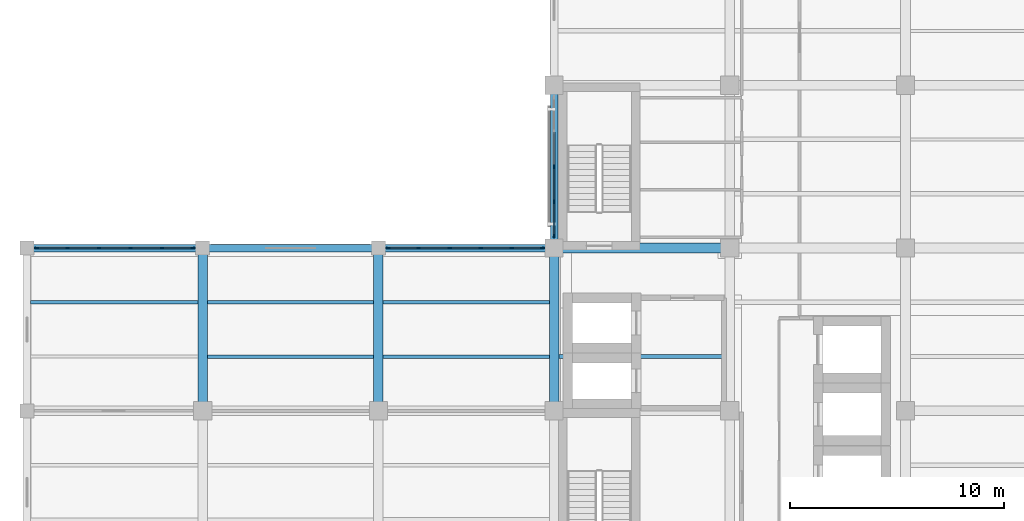
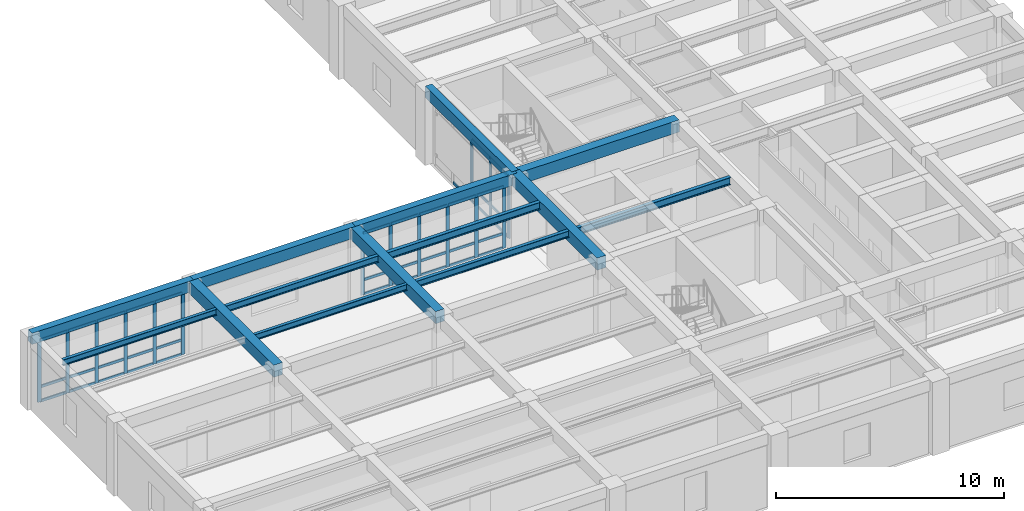
# One storey, part 2 of 16: 52 members, 14 beams, 3 elements without a shape of their own.
"""IFC4 building model written with IfcOpenShell, lengths in metres."""

from ifc_helpers import new_model, si_unit, direction, frame, origin, origin_2d, place, context, subcontext, project, spatial, rectangle, i_section, extrude, material, material_profile, profile_set, type_object, element, aggregate, save


model = new_model("IFC4")

# Units and contexts
model_context = context("Model", 3, precision=1e-05, world=origin(), true_north=direction((0.0, 1.0)))
body_context = subcontext(model_context, "Body", "Model", "MODEL_VIEW")
ifc_project = project(units=[si_unit("LENGTHUNIT", "METRE"), si_unit("AREAUNIT", "SQUARE_METRE"), si_unit("VOLUMEUNIT", "CUBIC_METRE"), si_unit("PLANEANGLEUNIT", "RADIAN"), si_unit("MASSUNIT", "GRAM", prefix="KILO")], contexts=[model_context])

# Site, building, storey
site_placement = place(None, origin())
site = spatial("IfcSite", under=ifc_project, at=site_placement, CompositionType="ELEMENT")
building_placement = place(site_placement, origin())
building = spatial("IfcBuilding", under=site, at=building_placement, Name="Qandaris Square Conservatory and Botanical Centre", CompositionType="ELEMENT")
storey_placement = place(building_placement, frame((0.0, 0.0, 24.0)))
storey = spatial("IfcBuildingStorey", under=building, at=storey_placement, Name="L05", CompositionType="ELEMENT", Elevation=24.0)

# Beams
ifc_material_1 = material(Name="Steel S355", Category="steel")
ifc_material_profile_1 = material_profile(ifc_material_1, i_section(OverallWidth=0.159912109375, OverallDepth=0.330078125, WebThickness=0.007568359375, FlangeThickness=0.011474609375, FilletRadius=0.01806640625, at=origin_2d()), Name="IPE 330")
ifc_profile_set_1 = profile_set([ifc_material_profile_1], Name="Steel S355")
beam_type_1 = type_object("IfcBeamType", Name="Composite Lab Joist IPE 330", PredefinedType="JOIST", material=ifc_profile_set_1)
beam_1_placement = place(storey_placement, frame((114.77490234375, 36.86669921875, 3.7548828125), z_axis=(1.0, 0.0, 0.0), x_axis=(0.0, 1.0, 0.0)))
element("IfcBeam", 1, at=beam_1_placement, inside=storey, type_object=beam_type_1, Name="L05 Composite Joist 1906", PredefinedType="JOIST", context=body_context, shape_type="SweptSolid", body=[
    extrude(i_section(OverallWidth=0.159912109375, OverallDepth=0.330078125, WebThickness=0.007568359375, FlangeThickness=0.011474609375, FilletRadius=0.01806640625, at=origin_2d()), origin(), (0.0, 0.0, 1.0), 7.800048828125),
])
beam_2_placement = place(storey_placement, frame((123.02490234375, 34.333251953125, 3.7548828125), z_axis=(1.0, 0.0, 0.0), x_axis=(0.0, 1.0, 0.0)))
element("IfcBeam", 2, at=beam_2_placement, inside=storey, type_object=beam_type_1, Name="L05 Composite Joist 1911", PredefinedType="JOIST", context=body_context, shape_type="SweptSolid", body=[
    extrude(i_section(OverallWidth=0.159912109375, OverallDepth=0.330078125, WebThickness=0.007568359375, FlangeThickness=0.011474609375, FilletRadius=0.01806640625, at=origin_2d()), origin(), (0.0, 0.0, 1.0), 7.75),
])
ifc_material_profile_2 = material_profile(ifc_material_1, i_section(OverallWidth=0.169921875, OverallDepth=0.360107421875, WebThickness=0.008056640625, FlangeThickness=0.0126953125, FilletRadius=0.01806640625, at=origin_2d()), Name="IPE 360")
ifc_profile_set_2 = profile_set([ifc_material_profile_2], Name="Steel S355")
beam_type_2 = type_object("IfcBeamType", Name="Composite Lab Joist IPE 360", PredefinedType="JOIST", material=ifc_profile_set_2)
for number, where, z_axis, x_axis, name in (
    (3, (123.02490234375, 36.86669921875, 3.739990234375), (1.0, 0.0, 0.0), (0.0, 1.0, 0.0), "L05 Composite Joist 1912"),
    (4, (131.22509765625, 34.333251953125, 3.739990234375), (1.0, 0.0, 0.0), (0.0, 1.0, 0.0), "L05 Composite Joist 1917"),
):
    element("IfcBeam", number, at=place(storey_placement, frame(where, z_axis=z_axis, x_axis=x_axis)), inside=storey, type_object=beam_type_2, Name=name, PredefinedType="JOIST", context=body_context, shape_type="SweptSolid", body=[
        extrude(i_section(OverallWidth=0.169921875, OverallDepth=0.360107421875, WebThickness=0.008056640625, FlangeThickness=0.0126953125, FilletRadius=0.01806640625, at=origin_2d()), origin(), (0.0, 0.0, 1.0), 7.75),
    ])
ifc_material_profile_3 = material_profile(ifc_material_1, i_section(OverallWidth=0.179931640625, OverallDepth=0.39990234375, WebThickness=0.008544921875, FlangeThickness=0.013427734375, FilletRadius=0.02099609375, at=origin_2d()), Name="IPE 400")
ifc_profile_set_3 = profile_set([ifc_material_profile_3], Name="Steel S355")
beam_type_3 = type_object("IfcBeamType", Name="Composite Plinth Joist IPE 400", PredefinedType="JOIST", material=ifc_profile_set_3)
for number, where, z_axis, x_axis, name in (
    (5, (131.22509765625, 36.86669921875, 3.719970703125), (1.0, 0.0, 0.0), (0.0, 1.0, 0.0), "L05 Composite Joist 1918"),
    (6, (139.425048828125, 34.333251953125, 3.719970703125), (1.0, 0.0, 0.0), (0.0, 1.0, 0.0), "L05 Composite Joist 1921"),
):
    element("IfcBeam", number, at=place(storey_placement, frame(where, z_axis=z_axis, x_axis=x_axis)), inside=storey, type_object=beam_type_3, Name=name, PredefinedType="JOIST", context=body_context, shape_type="SweptSolid", body=[
        extrude(i_section(OverallWidth=0.179931640625, OverallDepth=0.39990234375, WebThickness=0.008544921875, FlangeThickness=0.013427734375, FilletRadius=0.02099609375, at=origin_2d()), origin(), (0.0, 0.0, 1.0), 7.75),
    ])

# Curtain wall, members
ifc_material_2 = material(Name="Anodised Aluminium", Category="aluminium")
curtain_wall_type_1 = type_object("IfcCurtainWallType", Name="Unitised Curtain Wall CW-4-655x333", PredefinedType="USERDEFINED", material=ifc_material_2)
curtain_wall_1_placement = place(storey_placement, origin())
curtain_wall_1 = element("IfcCurtainWall", 7, at=curtain_wall_1_placement, inside=storey, type_object=curtain_wall_type_1, Name="Curtain Wall CW-TWR-L05-4-5", ObjectType="GLAZED CURTAIN WALL", PredefinedType="USERDEFINED")
ifc_material_profile_4 = material_profile(ifc_material_2, rectangle(XDim=0.06494140625, YDim=0.179931640625, at=origin_2d()), Name="ALU-MUL 65x180")
ifc_profile_set_4 = profile_set([ifc_material_profile_4], Name="Anodised Aluminium")
member_type_1 = type_object("IfcMemberType", Name="Curtain Wall Mullion 65x180", PredefinedType="MULLION", material=ifc_profile_set_4)
member_1_placement = place(storey_placement, frame((139.199951171875, 43.199951171875, 0.0), z_axis=(0.0, 0.0, 1.0), x_axis=(1.0, 0.0, 0.0)))
member_1 = element("IfcMember", 8, at=member_1_placement, type_object=member_type_1, Name="CW-4-655x333 mullion 3", PredefinedType="MULLION", context=body_context, shape_type="SweptSolid", body=[
    extrude(rectangle(XDim=0.06494140625, YDim=0.179931640625, at=origin_2d()), origin(), (0.0, 0.0, 1.0), 3.330078125),
])
member_2_placement = place(storey_placement, frame((139.199951171875, 41.5625, 0.0), z_axis=(0.0, 0.0, 1.0), x_axis=(1.0, 0.0, 0.0)))
member_2 = element("IfcMember", 9, at=member_2_placement, type_object=member_type_1, Name="CW-4-655x333 mullion 4", PredefinedType="MULLION", context=body_context, shape_type="SweptSolid", body=[
    extrude(rectangle(XDim=0.06494140625, YDim=0.179931640625, at=origin_2d()), origin(), (0.0, 0.0, 1.0), 3.330078125),
])
member_3_placement = place(storey_placement, frame((139.199951171875, 39.95751953125, 0.0), z_axis=(0.0, 0.0, 1.0), x_axis=(1.0, 0.0, 0.0)))
member_3 = element("IfcMember", 10, at=member_3_placement, type_object=member_type_1, Name="CW-4-655x333 mullion 5", PredefinedType="MULLION", context=body_context, shape_type="SweptSolid", body=[
    extrude(rectangle(XDim=0.06494140625, YDim=0.179931640625, at=origin_2d()), origin(), (0.0, 0.0, 1.0), 3.330078125),
])

curtain_wall_type_2 = type_object("IfcCurtainWallType", Name="Unitised Curtain Wall CW-4-725x333", PredefinedType="USERDEFINED", material=ifc_material_2)
curtain_wall_2_placement = place(storey_placement, origin())
curtain_wall_2 = element("IfcCurtainWall", 11, at=curtain_wall_2_placement, inside=storey, type_object=curtain_wall_type_2, Name="Curtain Wall CW-TWR-L05-5-1", ObjectType="GLAZED CURTAIN WALL", PredefinedType="USERDEFINED")
member_4_placement = place(storey_placement, frame((138.642578125, 39.39990234375, 0.0), z_axis=(0.0, 0.0, 1.0), x_axis=(0.0, -1.0, 0.0)))
member_4 = element("IfcMember", 12, at=member_4_placement, type_object=member_type_1, Name="CW-4-725x333 mullion 1", PredefinedType="MULLION", context=body_context, shape_type="SweptSolid", body=[
    extrude(rectangle(XDim=0.06494140625, YDim=0.179931640625, at=origin_2d()), origin(), (0.0, 0.0, 1.0), 3.330078125),
])
member_5_placement = place(storey_placement, frame((137.22509765625, 39.39990234375, 0.0), z_axis=(0.0, 0.0, 1.0), x_axis=(0.0, -1.0, 0.0)))
member_5 = element("IfcMember", 13, at=member_5_placement, type_object=member_type_1, Name="CW-4-725x333 mullion 2", PredefinedType="MULLION", context=body_context, shape_type="SweptSolid", body=[
    extrude(rectangle(XDim=0.06494140625, YDim=0.179931640625, at=origin_2d()), origin(), (0.0, 0.0, 1.0), 3.330078125),
])
member_6_placement = place(storey_placement, frame((135.77490234375, 39.39990234375, 0.0), z_axis=(0.0, 0.0, 1.0), x_axis=(0.0, -1.0, 0.0)))
member_6 = element("IfcMember", 14, at=member_6_placement, type_object=member_type_1, Name="CW-4-725x333 mullion 3", PredefinedType="MULLION", context=body_context, shape_type="SweptSolid", body=[
    extrude(rectangle(XDim=0.06494140625, YDim=0.179931640625, at=origin_2d()), origin(), (0.0, 0.0, 1.0), 3.330078125),
])
member_7_placement = place(storey_placement, frame((134.324951171875, 39.39990234375, 0.0), z_axis=(0.0, 0.0, 1.0), x_axis=(0.0, -1.0, 0.0)))
member_7 = element("IfcMember", 15, at=member_7_placement, type_object=member_type_1, Name="CW-4-725x333 mullion 4", PredefinedType="MULLION", context=body_context, shape_type="SweptSolid", body=[
    extrude(rectangle(XDim=0.06494140625, YDim=0.179931640625, at=origin_2d()), origin(), (0.0, 0.0, 1.0), 3.330078125),
])
member_8_placement = place(storey_placement, frame((132.875, 39.39990234375, 0.0), z_axis=(0.0, 0.0, 1.0), x_axis=(0.0, -1.0, 0.0)))
member_8 = element("IfcMember", 16, at=member_8_placement, type_object=member_type_1, Name="CW-4-725x333 mullion 5", PredefinedType="MULLION", context=body_context, shape_type="SweptSolid", body=[
    extrude(rectangle(XDim=0.06494140625, YDim=0.179931640625, at=origin_2d()), origin(), (0.0, 0.0, 1.0), 3.330078125),
])
member_9_placement = place(storey_placement, frame((131.45751953125, 39.39990234375, 0.0), z_axis=(0.0, 0.0, 1.0), x_axis=(0.0, -1.0, 0.0)))
member_9 = element("IfcMember", 17, at=member_9_placement, type_object=member_type_1, Name="CW-4-725x333 mullion 6", PredefinedType="MULLION", context=body_context, shape_type="SweptSolid", body=[
    extrude(rectangle(XDim=0.06494140625, YDim=0.179931640625, at=origin_2d()), origin(), (0.0, 0.0, 1.0), 3.330078125),
])

curtain_wall_type_3 = type_object("IfcCurtainWallType", Name="Unitised Curtain Wall CW-4-735x333", PredefinedType="USERDEFINED", material=ifc_material_2)
curtain_wall_3_placement = place(storey_placement, origin())
curtain_wall_3 = element("IfcCurtainWall", 18, at=curtain_wall_3_placement, inside=storey, type_object=curtain_wall_type_3, Name="Curtain Wall CW-TWR-L05-5-3", ObjectType="GLAZED CURTAIN WALL", PredefinedType="USERDEFINED")
member_10_placement = place(storey_placement, frame((122.342529296875, 39.39990234375, 0.0), z_axis=(0.0, 0.0, 1.0), x_axis=(0.0, -1.0, 0.0)))
member_10 = element("IfcMember", 19, at=member_10_placement, type_object=member_type_1, Name="CW-4-735x333 mullion 1", PredefinedType="MULLION", context=body_context, shape_type="SweptSolid", body=[
    extrude(rectangle(XDim=0.06494140625, YDim=0.179931640625, at=origin_2d()), origin(), (0.0, 0.0, 1.0), 3.330078125),
])
member_11_placement = place(storey_placement, frame((120.905029296875, 39.39990234375, 0.0), z_axis=(0.0, 0.0, 1.0), x_axis=(0.0, -1.0, 0.0)))
member_11 = element("IfcMember", 20, at=member_11_placement, type_object=member_type_1, Name="CW-4-735x333 mullion 2", PredefinedType="MULLION", context=body_context, shape_type="SweptSolid", body=[
    extrude(rectangle(XDim=0.06494140625, YDim=0.179931640625, at=origin_2d()), origin(), (0.0, 0.0, 1.0), 3.330078125),
])
member_12_placement = place(storey_placement, frame((119.43505859375, 39.39990234375, 0.0), z_axis=(0.0, 0.0, 1.0), x_axis=(0.0, -1.0, 0.0)))
member_12 = element("IfcMember", 21, at=member_12_placement, type_object=member_type_1, Name="CW-4-735x333 mullion 3", PredefinedType="MULLION", context=body_context, shape_type="SweptSolid", body=[
    extrude(rectangle(XDim=0.06494140625, YDim=0.179931640625, at=origin_2d()), origin(), (0.0, 0.0, 1.0), 3.330078125),
])
member_13_placement = place(storey_placement, frame((117.965087890625, 39.39990234375, 0.0), z_axis=(0.0, 0.0, 1.0), x_axis=(0.0, -1.0, 0.0)))
member_13 = element("IfcMember", 22, at=member_13_placement, type_object=member_type_1, Name="CW-4-735x333 mullion 4", PredefinedType="MULLION", context=body_context, shape_type="SweptSolid", body=[
    extrude(rectangle(XDim=0.06494140625, YDim=0.179931640625, at=origin_2d()), origin(), (0.0, 0.0, 1.0), 3.330078125),
])
member_14_placement = place(storey_placement, frame((116.4951171875, 39.39990234375, 0.0), z_axis=(0.0, 0.0, 1.0), x_axis=(0.0, -1.0, 0.0)))
member_14 = element("IfcMember", 23, at=member_14_placement, type_object=member_type_1, Name="CW-4-735x333 mullion 5", PredefinedType="MULLION", context=body_context, shape_type="SweptSolid", body=[
    extrude(rectangle(XDim=0.06494140625, YDim=0.179931640625, at=origin_2d()), origin(), (0.0, 0.0, 1.0), 3.330078125),
])
member_15_placement = place(storey_placement, frame((115.0576171875, 39.39990234375, 0.0), z_axis=(0.0, 0.0, 1.0), x_axis=(0.0, -1.0, 0.0)))
member_15 = element("IfcMember", 24, at=member_15_placement, type_object=member_type_1, Name="CW-4-735x333 mullion 6", PredefinedType="MULLION", context=body_context, shape_type="SweptSolid", body=[
    extrude(rectangle(XDim=0.06494140625, YDim=0.179931640625, at=origin_2d()), origin(), (0.0, 0.0, 1.0), 3.330078125),
])

# Member
ifc_material_profile_5 = material_profile(ifc_material_2, rectangle(XDim=0.06494140625, YDim=0.139892578125, at=origin_2d()), Name="ALU-TRN 65x140")
ifc_profile_set_5 = profile_set([ifc_material_profile_5], Name="Anodised Aluminium")
member_type_2 = type_object("IfcMemberType", Name="Curtain Wall Transom 65x140", PredefinedType="USERDEFINED", material=ifc_profile_set_5)
member_16_placement = place(storey_placement, frame((139.199951171875, 44.804931640625, 0.032470703125), z_axis=(0.0, -1.0, 0.0), x_axis=(1.0, 0.0, 0.0)))
member_16 = element("IfcMember", 25, at=member_16_placement, type_object=member_type_2, Name="CW-4-655x333 transom 2.1", ObjectType="TRANSOM", PredefinedType="USERDEFINED", context=body_context, shape_type="SweptSolid", body=[
    extrude(rectangle(XDim=0.06494140625, YDim=0.139892578125, at=origin_2d()), origin(), (0.0, 0.0, 1.0), 1.572509765625),
])

member_17_placement = place(storey_placement, frame((139.199951171875, 43.16748046875, 0.032470703125), z_axis=(0.0, -1.0, 0.0), x_axis=(1.0, 0.0, 0.0)))
member_17 = element("IfcMember", 26, at=member_17_placement, type_object=member_type_2, Name="CW-4-655x333 transom 3.1", ObjectType="TRANSOM", PredefinedType="USERDEFINED", context=body_context, shape_type="SweptSolid", body=[
    extrude(rectangle(XDim=0.06494140625, YDim=0.139892578125, at=origin_2d()), origin(), (0.0, 0.0, 1.0), 1.572509765625),
])

member_18_placement = place(storey_placement, frame((139.199951171875, 43.16748046875, 0.79931640625), z_axis=(0.0, -1.0, 0.0), x_axis=(1.0, 0.0, 0.0)))
member_18 = element("IfcMember", 27, at=member_18_placement, type_object=member_type_2, Name="CW-4-655x333 transom 3.2", ObjectType="TRANSOM", PredefinedType="USERDEFINED", context=body_context, shape_type="SweptSolid", body=[
    extrude(rectangle(XDim=0.06494140625, YDim=0.139892578125, at=origin_2d()), origin(), (0.0, 0.0, 1.0), 1.572509765625),
])

member_19_placement = place(storey_placement, frame((139.199951171875, 43.16748046875, 3.297607421875), z_axis=(0.0, -1.0, 0.0), x_axis=(1.0, 0.0, 0.0)))
member_19 = element("IfcMember", 28, at=member_19_placement, type_object=member_type_2, Name="CW-4-655x333 transom 3.3", ObjectType="TRANSOM", PredefinedType="USERDEFINED", context=body_context, shape_type="SweptSolid", body=[
    extrude(rectangle(XDim=0.06494140625, YDim=0.139892578125, at=origin_2d()), origin(), (0.0, 0.0, 1.0), 1.572509765625),
])

member_20_placement = place(storey_placement, frame((139.199951171875, 41.530029296875, 0.032470703125), z_axis=(0.0, -1.0, 0.0), x_axis=(1.0, 0.0, 0.0)))
member_20 = element("IfcMember", 29, at=member_20_placement, type_object=member_type_2, Name="CW-4-655x333 transom 4.1", ObjectType="TRANSOM", PredefinedType="USERDEFINED", context=body_context, shape_type="SweptSolid", body=[
    extrude(rectangle(XDim=0.06494140625, YDim=0.139892578125, at=origin_2d()), origin(), (0.0, 0.0, 1.0), 1.5400390625),
])

member_21_placement = place(storey_placement, frame((139.199951171875, 41.530029296875, 0.79931640625), z_axis=(0.0, -1.0, 0.0), x_axis=(1.0, 0.0, 0.0)))
member_21 = element("IfcMember", 30, at=member_21_placement, type_object=member_type_2, Name="CW-4-655x333 transom 4.2", ObjectType="TRANSOM", PredefinedType="USERDEFINED", context=body_context, shape_type="SweptSolid", body=[
    extrude(rectangle(XDim=0.06494140625, YDim=0.139892578125, at=origin_2d()), origin(), (0.0, 0.0, 1.0), 1.5400390625),
])

member_22_placement = place(storey_placement, frame((139.199951171875, 41.530029296875, 3.297607421875), z_axis=(0.0, -1.0, 0.0), x_axis=(1.0, 0.0, 0.0)))
member_22 = element("IfcMember", 31, at=member_22_placement, type_object=member_type_2, Name="CW-4-655x333 transom 4.3", ObjectType="TRANSOM", PredefinedType="USERDEFINED", context=body_context, shape_type="SweptSolid", body=[
    extrude(rectangle(XDim=0.06494140625, YDim=0.139892578125, at=origin_2d()), origin(), (0.0, 0.0, 1.0), 1.5400390625),
])

aggregate(curtain_wall_1, [member_1, member_2, member_3, member_16, member_17, member_18, member_19, member_20, member_21, member_22])

member_23_placement = place(storey_placement, frame((138.610107421875, 39.39990234375, 0.032470703125), z_axis=(-1.0, 0.0, 0.0), x_axis=(0.0, -1.0, 0.0)))
member_23 = element("IfcMember", 32, at=member_23_placement, type_object=member_type_2, Name="CW-4-725x333 transom 1.1", ObjectType="TRANSOM", PredefinedType="USERDEFINED", context=body_context, shape_type="SweptSolid", body=[
    extrude(rectangle(XDim=0.06494140625, YDim=0.139892578125, at=origin_2d()), origin(), (0.0, 0.0, 1.0), 1.3525390625),
])

member_24_placement = place(storey_placement, frame((138.610107421875, 39.39990234375, 0.79931640625), z_axis=(-1.0, 0.0, 0.0), x_axis=(0.0, -1.0, 0.0)))
member_24 = element("IfcMember", 33, at=member_24_placement, type_object=member_type_2, Name="CW-4-725x333 transom 1.2", ObjectType="TRANSOM", PredefinedType="USERDEFINED", context=body_context, shape_type="SweptSolid", body=[
    extrude(rectangle(XDim=0.06494140625, YDim=0.139892578125, at=origin_2d()), origin(), (0.0, 0.0, 1.0), 1.3525390625),
])

member_25_placement = place(storey_placement, frame((138.610107421875, 39.39990234375, 3.297607421875), z_axis=(-1.0, 0.0, 0.0), x_axis=(0.0, -1.0, 0.0)))
member_25 = element("IfcMember", 34, at=member_25_placement, type_object=member_type_2, Name="CW-4-725x333 transom 1.3", ObjectType="TRANSOM", PredefinedType="USERDEFINED", context=body_context, shape_type="SweptSolid", body=[
    extrude(rectangle(XDim=0.06494140625, YDim=0.139892578125, at=origin_2d()), origin(), (0.0, 0.0, 1.0), 1.3525390625),
])

member_26_placement = place(storey_placement, frame((137.1923828125, 39.39990234375, 0.032470703125), z_axis=(-1.0, 0.0, 0.0), x_axis=(0.0, -1.0, 0.0)))
member_26 = element("IfcMember", 35, at=member_26_placement, type_object=member_type_2, Name="CW-4-725x333 transom 2.1", ObjectType="TRANSOM", PredefinedType="USERDEFINED", context=body_context, shape_type="SweptSolid", body=[
    extrude(rectangle(XDim=0.06494140625, YDim=0.139892578125, at=origin_2d()), origin(), (0.0, 0.0, 1.0), 1.384765625),
])

member_27_placement = place(storey_placement, frame((137.1923828125, 39.39990234375, 0.79931640625), z_axis=(-1.0, 0.0, 0.0), x_axis=(0.0, -1.0, 0.0)))
member_27 = element("IfcMember", 36, at=member_27_placement, type_object=member_type_2, Name="CW-4-725x333 transom 2.2", ObjectType="TRANSOM", PredefinedType="USERDEFINED", context=body_context, shape_type="SweptSolid", body=[
    extrude(rectangle(XDim=0.06494140625, YDim=0.139892578125, at=origin_2d()), origin(), (0.0, 0.0, 1.0), 1.384765625),
])

member_28_placement = place(storey_placement, frame((137.1923828125, 39.39990234375, 3.297607421875), z_axis=(-1.0, 0.0, 0.0), x_axis=(0.0, -1.0, 0.0)))
member_28 = element("IfcMember", 37, at=member_28_placement, type_object=member_type_2, Name="CW-4-725x333 transom 2.3", ObjectType="TRANSOM", PredefinedType="USERDEFINED", context=body_context, shape_type="SweptSolid", body=[
    extrude(rectangle(XDim=0.06494140625, YDim=0.139892578125, at=origin_2d()), origin(), (0.0, 0.0, 1.0), 1.384765625),
])

member_29_placement = place(storey_placement, frame((135.742431640625, 39.39990234375, 0.032470703125), z_axis=(-1.0, 0.0, 0.0), x_axis=(0.0, -1.0, 0.0)))
member_29 = element("IfcMember", 38, at=member_29_placement, type_object=member_type_2, Name="CW-4-725x333 transom 3.1", ObjectType="TRANSOM", PredefinedType="USERDEFINED", context=body_context, shape_type="SweptSolid", body=[
    extrude(rectangle(XDim=0.06494140625, YDim=0.139892578125, at=origin_2d()), origin(), (0.0, 0.0, 1.0), 1.385009765625),
])

member_30_placement = place(storey_placement, frame((135.742431640625, 39.39990234375, 0.79931640625), z_axis=(-1.0, 0.0, 0.0), x_axis=(0.0, -1.0, 0.0)))
member_30 = element("IfcMember", 39, at=member_30_placement, type_object=member_type_2, Name="CW-4-725x333 transom 3.2", ObjectType="TRANSOM", PredefinedType="USERDEFINED", context=body_context, shape_type="SweptSolid", body=[
    extrude(rectangle(XDim=0.06494140625, YDim=0.139892578125, at=origin_2d()), origin(), (0.0, 0.0, 1.0), 1.385009765625),
])

member_31_placement = place(storey_placement, frame((135.742431640625, 39.39990234375, 3.297607421875), z_axis=(-1.0, 0.0, 0.0), x_axis=(0.0, -1.0, 0.0)))
member_31 = element("IfcMember", 40, at=member_31_placement, type_object=member_type_2, Name="CW-4-725x333 transom 3.3", ObjectType="TRANSOM", PredefinedType="USERDEFINED", context=body_context, shape_type="SweptSolid", body=[
    extrude(rectangle(XDim=0.06494140625, YDim=0.139892578125, at=origin_2d()), origin(), (0.0, 0.0, 1.0), 1.385009765625),
])

member_32_placement = place(storey_placement, frame((134.29248046875, 39.39990234375, 0.032470703125), z_axis=(-1.0, 0.0, 0.0), x_axis=(0.0, -1.0, 0.0)))
member_32 = element("IfcMember", 41, at=member_32_placement, type_object=member_type_2, Name="CW-4-725x333 transom 4.1", ObjectType="TRANSOM", PredefinedType="USERDEFINED", context=body_context, shape_type="SweptSolid", body=[
    extrude(rectangle(XDim=0.06494140625, YDim=0.139892578125, at=origin_2d()), origin(), (0.0, 0.0, 1.0), 1.385009765625),
])

member_33_placement = place(storey_placement, frame((134.29248046875, 39.39990234375, 0.79931640625), z_axis=(-1.0, 0.0, 0.0), x_axis=(0.0, -1.0, 0.0)))
member_33 = element("IfcMember", 42, at=member_33_placement, type_object=member_type_2, Name="CW-4-725x333 transom 4.2", ObjectType="TRANSOM", PredefinedType="USERDEFINED", context=body_context, shape_type="SweptSolid", body=[
    extrude(rectangle(XDim=0.06494140625, YDim=0.139892578125, at=origin_2d()), origin(), (0.0, 0.0, 1.0), 1.385009765625),
])

member_34_placement = place(storey_placement, frame((134.29248046875, 39.39990234375, 3.297607421875), z_axis=(-1.0, 0.0, 0.0), x_axis=(0.0, -1.0, 0.0)))
member_34 = element("IfcMember", 43, at=member_34_placement, type_object=member_type_2, Name="CW-4-725x333 transom 4.3", ObjectType="TRANSOM", PredefinedType="USERDEFINED", context=body_context, shape_type="SweptSolid", body=[
    extrude(rectangle(XDim=0.06494140625, YDim=0.139892578125, at=origin_2d()), origin(), (0.0, 0.0, 1.0), 1.385009765625),
])

member_35_placement = place(storey_placement, frame((132.842529296875, 39.39990234375, 0.032470703125), z_axis=(-1.0, 0.0, 0.0), x_axis=(0.0, -1.0, 0.0)))
member_35 = element("IfcMember", 44, at=member_35_placement, type_object=member_type_2, Name="CW-4-725x333 transom 5.1", ObjectType="TRANSOM", PredefinedType="USERDEFINED", context=body_context, shape_type="SweptSolid", body=[
    extrude(rectangle(XDim=0.06494140625, YDim=0.139892578125, at=origin_2d()), origin(), (0.0, 0.0, 1.0), 1.3525390625),
])

member_36_placement = place(storey_placement, frame((132.842529296875, 39.39990234375, 0.79931640625), z_axis=(-1.0, 0.0, 0.0), x_axis=(0.0, -1.0, 0.0)))
member_36 = element("IfcMember", 45, at=member_36_placement, type_object=member_type_2, Name="CW-4-725x333 transom 5.2", ObjectType="TRANSOM", PredefinedType="USERDEFINED", context=body_context, shape_type="SweptSolid", body=[
    extrude(rectangle(XDim=0.06494140625, YDim=0.139892578125, at=origin_2d()), origin(), (0.0, 0.0, 1.0), 1.3525390625),
])

member_37_placement = place(storey_placement, frame((132.842529296875, 39.39990234375, 3.297607421875), z_axis=(-1.0, 0.0, 0.0), x_axis=(0.0, -1.0, 0.0)))
member_37 = element("IfcMember", 46, at=member_37_placement, type_object=member_type_2, Name="CW-4-725x333 transom 5.3", ObjectType="TRANSOM", PredefinedType="USERDEFINED", context=body_context, shape_type="SweptSolid", body=[
    extrude(rectangle(XDim=0.06494140625, YDim=0.139892578125, at=origin_2d()), origin(), (0.0, 0.0, 1.0), 1.3525390625),
])

aggregate(curtain_wall_2, [member_4, member_5, member_6, member_7, member_8, member_9, member_23, member_24, member_25, member_26, member_27, member_28, member_29, member_30, member_31, member_32, member_33, member_34, member_35, member_36, member_37])

member_38_placement = place(storey_placement, frame((122.31005859375, 39.39990234375, 0.032470703125), z_axis=(-1.0, 0.0, 0.0), x_axis=(0.0, -1.0, 0.0)))
member_38 = element("IfcMember", 47, at=member_38_placement, type_object=member_type_2, Name="CW-4-735x333 transom 1.1", ObjectType="TRANSOM", PredefinedType="USERDEFINED", context=body_context, shape_type="SweptSolid", body=[
    extrude(rectangle(XDim=0.06494140625, YDim=0.139892578125, at=origin_2d()), origin(), (0.0, 0.0, 1.0), 1.37255859375),
])

member_39_placement = place(storey_placement, frame((122.31005859375, 39.39990234375, 0.79931640625), z_axis=(-1.0, 0.0, 0.0), x_axis=(0.0, -1.0, 0.0)))
member_39 = element("IfcMember", 48, at=member_39_placement, type_object=member_type_2, Name="CW-4-735x333 transom 1.2", ObjectType="TRANSOM", PredefinedType="USERDEFINED", context=body_context, shape_type="SweptSolid", body=[
    extrude(rectangle(XDim=0.06494140625, YDim=0.139892578125, at=origin_2d()), origin(), (0.0, 0.0, 1.0), 1.37255859375),
])

member_40_placement = place(storey_placement, frame((122.31005859375, 39.39990234375, 3.297607421875), z_axis=(-1.0, 0.0, 0.0), x_axis=(0.0, -1.0, 0.0)))
member_40 = element("IfcMember", 49, at=member_40_placement, type_object=member_type_2, Name="CW-4-735x333 transom 1.3", ObjectType="TRANSOM", PredefinedType="USERDEFINED", context=body_context, shape_type="SweptSolid", body=[
    extrude(rectangle(XDim=0.06494140625, YDim=0.139892578125, at=origin_2d()), origin(), (0.0, 0.0, 1.0), 1.37255859375),
])

member_41_placement = place(storey_placement, frame((120.87255859375, 39.39990234375, 0.032470703125), z_axis=(-1.0, 0.0, 0.0), x_axis=(0.0, -1.0, 0.0)))
member_41 = element("IfcMember", 50, at=member_41_placement, type_object=member_type_2, Name="CW-4-735x333 transom 2.1", ObjectType="TRANSOM", PredefinedType="USERDEFINED", context=body_context, shape_type="SweptSolid", body=[
    extrude(rectangle(XDim=0.06494140625, YDim=0.139892578125, at=origin_2d()), origin(), (0.0, 0.0, 1.0), 1.405029296875),
])

member_42_placement = place(storey_placement, frame((120.87255859375, 39.39990234375, 0.79931640625), z_axis=(-1.0, 0.0, 0.0), x_axis=(0.0, -1.0, 0.0)))
member_42 = element("IfcMember", 51, at=member_42_placement, type_object=member_type_2, Name="CW-4-735x333 transom 2.2", ObjectType="TRANSOM", PredefinedType="USERDEFINED", context=body_context, shape_type="SweptSolid", body=[
    extrude(rectangle(XDim=0.06494140625, YDim=0.139892578125, at=origin_2d()), origin(), (0.0, 0.0, 1.0), 1.405029296875),
])

member_43_placement = place(storey_placement, frame((120.87255859375, 39.39990234375, 3.297607421875), z_axis=(-1.0, 0.0, 0.0), x_axis=(0.0, -1.0, 0.0)))
member_43 = element("IfcMember", 52, at=member_43_placement, type_object=member_type_2, Name="CW-4-735x333 transom 2.3", ObjectType="TRANSOM", PredefinedType="USERDEFINED", context=body_context, shape_type="SweptSolid", body=[
    extrude(rectangle(XDim=0.06494140625, YDim=0.139892578125, at=origin_2d()), origin(), (0.0, 0.0, 1.0), 1.405029296875),
])

member_44_placement = place(storey_placement, frame((119.402587890625, 39.39990234375, 0.032470703125), z_axis=(-1.0, 0.0, 0.0), x_axis=(0.0, -1.0, 0.0)))
member_44 = element("IfcMember", 53, at=member_44_placement, type_object=member_type_2, Name="CW-4-735x333 transom 3.1", ObjectType="TRANSOM", PredefinedType="USERDEFINED", context=body_context, shape_type="SweptSolid", body=[
    extrude(rectangle(XDim=0.06494140625, YDim=0.139892578125, at=origin_2d()), origin(), (0.0, 0.0, 1.0), 1.405029296875),
])

member_45_placement = place(storey_placement, frame((119.402587890625, 39.39990234375, 0.79931640625), z_axis=(-1.0, 0.0, 0.0), x_axis=(0.0, -1.0, 0.0)))
member_45 = element("IfcMember", 54, at=member_45_placement, type_object=member_type_2, Name="CW-4-735x333 transom 3.2", ObjectType="TRANSOM", PredefinedType="USERDEFINED", context=body_context, shape_type="SweptSolid", body=[
    extrude(rectangle(XDim=0.06494140625, YDim=0.139892578125, at=origin_2d()), origin(), (0.0, 0.0, 1.0), 1.405029296875),
])

member_46_placement = place(storey_placement, frame((119.402587890625, 39.39990234375, 3.297607421875), z_axis=(-1.0, 0.0, 0.0), x_axis=(0.0, -1.0, 0.0)))
member_46 = element("IfcMember", 55, at=member_46_placement, type_object=member_type_2, Name="CW-4-735x333 transom 3.3", ObjectType="TRANSOM", PredefinedType="USERDEFINED", context=body_context, shape_type="SweptSolid", body=[
    extrude(rectangle(XDim=0.06494140625, YDim=0.139892578125, at=origin_2d()), origin(), (0.0, 0.0, 1.0), 1.405029296875),
])

member_47_placement = place(storey_placement, frame((117.9326171875, 39.39990234375, 0.032470703125), z_axis=(-1.0, 0.0, 0.0), x_axis=(0.0, -1.0, 0.0)))
member_47 = element("IfcMember", 56, at=member_47_placement, type_object=member_type_2, Name="CW-4-735x333 transom 4.1", ObjectType="TRANSOM", PredefinedType="USERDEFINED", context=body_context, shape_type="SweptSolid", body=[
    extrude(rectangle(XDim=0.06494140625, YDim=0.139892578125, at=origin_2d()), origin(), (0.0, 0.0, 1.0), 1.405029296875),
])

member_48_placement = place(storey_placement, frame((117.9326171875, 39.39990234375, 0.79931640625), z_axis=(-1.0, 0.0, 0.0), x_axis=(0.0, -1.0, 0.0)))
member_48 = element("IfcMember", 57, at=member_48_placement, type_object=member_type_2, Name="CW-4-735x333 transom 4.2", ObjectType="TRANSOM", PredefinedType="USERDEFINED", context=body_context, shape_type="SweptSolid", body=[
    extrude(rectangle(XDim=0.06494140625, YDim=0.139892578125, at=origin_2d()), origin(), (0.0, 0.0, 1.0), 1.405029296875),
])

member_49_placement = place(storey_placement, frame((117.9326171875, 39.39990234375, 3.297607421875), z_axis=(-1.0, 0.0, 0.0), x_axis=(0.0, -1.0, 0.0)))
member_49 = element("IfcMember", 58, at=member_49_placement, type_object=member_type_2, Name="CW-4-735x333 transom 4.3", ObjectType="TRANSOM", PredefinedType="USERDEFINED", context=body_context, shape_type="SweptSolid", body=[
    extrude(rectangle(XDim=0.06494140625, YDim=0.139892578125, at=origin_2d()), origin(), (0.0, 0.0, 1.0), 1.405029296875),
])

member_50_placement = place(storey_placement, frame((116.46240234375, 39.39990234375, 0.032470703125), z_axis=(-1.0, 0.0, 0.0), x_axis=(0.0, -1.0, 0.0)))
member_50 = element("IfcMember", 59, at=member_50_placement, type_object=member_type_2, Name="CW-4-735x333 transom 5.1", ObjectType="TRANSOM", PredefinedType="USERDEFINED", context=body_context, shape_type="SweptSolid", body=[
    extrude(rectangle(XDim=0.06494140625, YDim=0.139892578125, at=origin_2d()), origin(), (0.0, 0.0, 1.0), 1.372314453125),
])

member_51_placement = place(storey_placement, frame((116.46240234375, 39.39990234375, 0.79931640625), z_axis=(-1.0, 0.0, 0.0), x_axis=(0.0, -1.0, 0.0)))
member_51 = element("IfcMember", 60, at=member_51_placement, type_object=member_type_2, Name="CW-4-735x333 transom 5.2", ObjectType="TRANSOM", PredefinedType="USERDEFINED", context=body_context, shape_type="SweptSolid", body=[
    extrude(rectangle(XDim=0.06494140625, YDim=0.139892578125, at=origin_2d()), origin(), (0.0, 0.0, 1.0), 1.372314453125),
])

member_52_placement = place(storey_placement, frame((116.46240234375, 39.39990234375, 3.297607421875), z_axis=(-1.0, 0.0, 0.0), x_axis=(0.0, -1.0, 0.0)))
member_52 = element("IfcMember", 61, at=member_52_placement, type_object=member_type_2, Name="CW-4-735x333 transom 5.3", ObjectType="TRANSOM", PredefinedType="USERDEFINED", context=body_context, shape_type="SweptSolid", body=[
    extrude(rectangle(XDim=0.06494140625, YDim=0.139892578125, at=origin_2d()), origin(), (0.0, 0.0, 1.0), 1.372314453125),
])

aggregate(curtain_wall_3, [member_10, member_11, member_12, member_13, member_14, member_15, member_38, member_39, member_40, member_41, member_42, member_43, member_44, member_45, member_46, member_47, member_48, member_49, member_50, member_51, member_52])

# Beams
ifc_material_3 = material(Name="Concrete C50/60", Category="concrete")
ifc_material_profile_6 = material_profile(ifc_material_3, rectangle(XDim=0.35009765625, YDim=0.60009765625, at=origin_2d()), Name="RC-SP 350x600")
ifc_profile_set_6 = profile_set([ifc_material_profile_6], Name="Concrete C50/60")
beam_type_4 = type_object("IfcBeamType", Name="RC Edge Spandrel Beam 350x600", PredefinedType="SPANDREL", material=ifc_profile_set_6)
for number, where, z_axis, x_axis, name in (
    (62, (114.60009765625, 39.39990234375, 3.6298828125), (1.0, 0.0, 0.0), (0.0, 1.0, 0.0), "L05 Frame Beam 1840"),
    (63, (122.800048828125, 39.39990234375, 3.6298828125), (1.0, 0.0, 0.0), (0.0, 1.0, 0.0), "L05 Frame Beam 1841"),
    (64, (131.0, 39.39990234375, 3.6298828125), (1.0, 0.0, 0.0), (0.0, 1.0, 0.0), "L05 Frame Beam 1842"),
):
    element("IfcBeam", number, at=place(storey_placement, frame(where, z_axis=z_axis, x_axis=x_axis)), inside=storey, type_object=beam_type_4, Name=name, PredefinedType="SPANDREL", context=body_context, shape_type="SweptSolid", body=[
        extrude(rectangle(XDim=0.35009765625, YDim=0.60009765625, at=origin_2d()), origin(), (0.0, 0.0, 1.0), 8.199951171875),
    ])
beam_3_placement = place(storey_placement, frame((139.199951171875, 39.39990234375, 3.6298828125), z_axis=(0.0, 1.0, 0.0), x_axis=(-1.0, 0.0, 0.0)))
element("IfcBeam", 65, at=beam_3_placement, inside=storey, type_object=beam_type_4, Name="L05 Frame Beam 1872", PredefinedType="SPANDREL", context=body_context, shape_type="SweptSolid", body=[
    extrude(rectangle(XDim=0.35009765625, YDim=0.60009765625, at=origin_2d()), origin(), (0.0, 0.0, 1.0), 7.60009765625),
])
ifc_material_profile_7 = material_profile(ifc_material_3, rectangle(XDim=0.449951171875, YDim=0.64990234375, at=origin_2d()), Name="RC-BM 450x650")
ifc_profile_set_7 = profile_set([ifc_material_profile_7], Name="Concrete C50/60")
beam_type_5 = type_object("IfcBeamType", Name="RC Floor Girder 450x650", PredefinedType="BEAM", material=ifc_profile_set_7)
beam_4_placement = place(storey_placement, frame((139.199951171875, 39.39990234375, 3.60498046875), z_axis=(1.0, 0.0, 0.0), x_axis=(0.0, 1.0, 0.0)))
element("IfcBeam", 66, at=beam_4_placement, inside=storey, type_object=beam_type_5, Name="L05 Frame Beam 1843", PredefinedType="BEAM", context=body_context, shape_type="SweptSolid", body=[
    extrude(rectangle(XDim=0.449951171875, YDim=0.64990234375, at=origin_2d()), origin(), (0.0, 0.0, 1.0), 8.199951171875),
])
for number, where, z_axis, x_axis, name in (
    (67, (122.800048828125, 31.800048828125, 3.60498046875), (0.0, 1.0, 0.0), (-1.0, 0.0, 0.0), "L05 Frame Beam 1865"),
    (68, (131.0, 31.800048828125, 3.60498046875), (0.0, 1.0, 0.0), (-1.0, 0.0, 0.0), "L05 Frame Beam 1868"),
    (69, (139.199951171875, 31.800048828125, 3.60498046875), (0.0, 1.0, 0.0), (-1.0, 0.0, 0.0), "L05 Frame Beam 1871"),
):
    element("IfcBeam", number, at=place(storey_placement, frame(where, z_axis=z_axis, x_axis=x_axis)), inside=storey, type_object=beam_type_5, Name=name, PredefinedType="BEAM", context=body_context, shape_type="SweptSolid", body=[
        extrude(rectangle(XDim=0.449951171875, YDim=0.64990234375, at=origin_2d()), origin(), (0.0, 0.0, 1.0), 7.599853515625),
    ])

save(model, "model.ifc")
